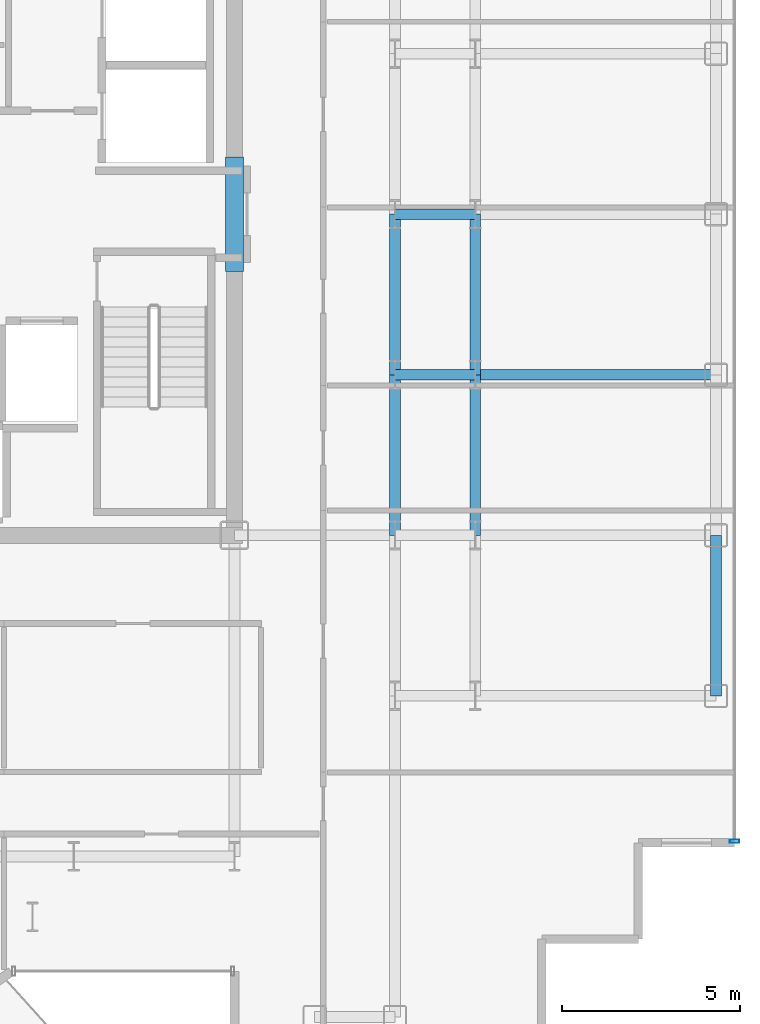
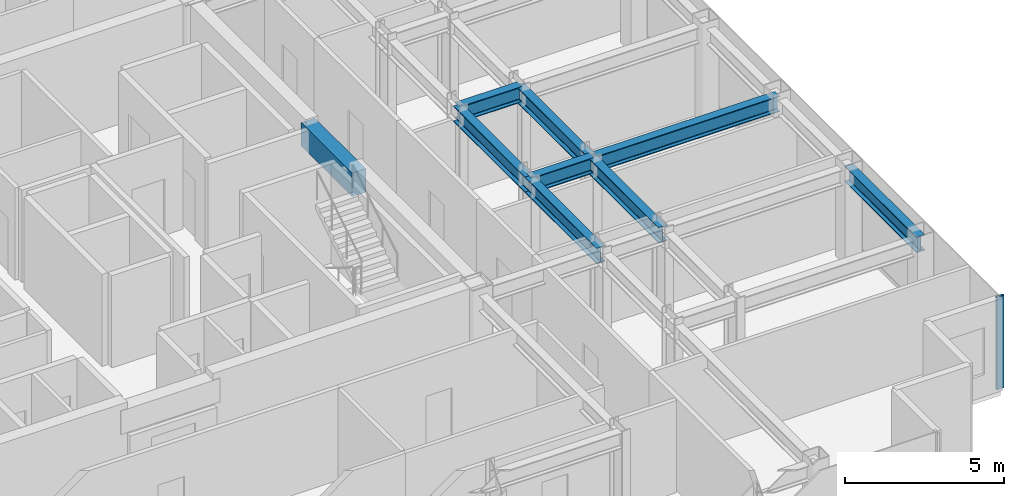
# One storey, part 6 of 21: 9 beams, 1 member, 1 element without a shape of its own.
"""IFC4 building model written with IfcOpenShell, lengths in metres."""

from ifc_helpers import new_model, si_unit, direction, frame, origin, origin_2d, place, context, subcontext, project, spatial, rectangle, hollow_rectangle, i_section, extrude, source, transform, mapped, material, layer, layer_set, material_profile, profile_set, type_object, element, aggregate, save


model = new_model("IFC4")

# Units and contexts
model_context = context("Model", 3, precision=1e-05, world=origin(), true_north=direction((0.0, 1.0)))
body_context = subcontext(model_context, "Body", "Model", "MODEL_VIEW")
ifc_project = project(units=[si_unit("LENGTHUNIT", "METRE"), si_unit("AREAUNIT", "SQUARE_METRE"), si_unit("VOLUMEUNIT", "CUBIC_METRE"), si_unit("PLANEANGLEUNIT", "RADIAN"), si_unit("MASSUNIT", "GRAM", prefix="KILO")], contexts=[model_context])

# Site, building, storey
site_placement = place(None, origin())
site = spatial("IfcSite", under=ifc_project, at=site_placement, CompositionType="ELEMENT")
building_placement = place(site_placement, origin())
building = spatial("IfcBuilding", under=site, at=building_placement, Name="Nefas-Gora Pilgrimage Tower", CompositionType="ELEMENT")
storey_placement = place(building_placement, frame((0.0, 0.0, 248.39990234375)))
storey = spatial("IfcBuildingStorey", under=building, at=storey_placement, Name="L62", CompositionType="ELEMENT", Elevation=248.39990234375)

# Beams
ifc_material_1 = material(Name="Concrete C50/60", Category="concrete")
ifc_material_profile_1 = material_profile(ifc_material_1, rectangle(XDim=0.5, YDim=0.89990234375, at=origin_2d()), Name="RC 500x900")
ifc_profile_set_1 = profile_set([ifc_material_profile_1], Name="Concrete C50/60")
beam_type_1 = type_object("IfcBeamType", Name="BM-LIN-RC900", PredefinedType="LINTEL", material=ifc_profile_set_1)
shared_shape_1 = source(origin(), body_context, "Body", "SweptSolid", [
    extrude(rectangle(XDim=0.5, YDim=0.89990234375, at=origin_2d()), origin(), (0.0, 0.0, 1.0), 3.2001953125),
])
beam_1_placement = place(storey_placement, frame((11.25, -1.60009765625, 3.10009765625), z_axis=(0.0, 1.0, 0.0), x_axis=(-1.0, 0.0, 0.0)))
element("IfcBeam", 1, at=beam_1_placement, inside=storey, type_object=beam_type_1, Name="L62 Core Coupling Lintel Beam E", PredefinedType="LINTEL", context=body_context, shape_type="MappedRepresentation", body=[
    mapped(shared_shape_1, transform((0.0, 0.0, 0.0), x_axis=(1.0, 0.0, 0.0), y_axis=(0.0, 1.0, 0.0), z_axis=(0.0, 0.0, 1.0), scale=1.0)),
])
ifc_material_2 = material(Name="Steel S355", Category="steel")
ifc_material_profile_2 = material_profile(ifc_material_2, i_section(OverallWidth=0.300048828125, OverallDepth=0.60009765625, WebThickness=0.015380859375, FlangeThickness=0.030029296875, FilletRadius=0.027099609375, at=origin_2d()), Name="HEB 600")
ifc_profile_set_2 = profile_set([ifc_material_profile_2], Name="Steel S355")
beam_type_2 = type_object("IfcBeamType", Name="BM-SPN-HEB450", PredefinedType="SPANDREL", material=ifc_profile_set_2)
shared_shape_2 = source(origin(), body_context, "Body", "SweptSolid", [
    extrude(i_section(OverallWidth=0.300048828125, OverallDepth=0.60009765625, WebThickness=0.015380859375, FlangeThickness=0.030029296875, FilletRadius=0.027099609375, at=origin_2d()), origin(), (0.0, 0.0, 1.0), 4.5),
])
beam_2_placement = place(storey_placement, frame((24.75, -13.5, 3.25), z_axis=(0.0, 1.0, 0.0), x_axis=(-1.0, 0.0, 0.0)))
element("IfcBeam", 2, at=beam_2_placement, inside=storey, type_object=beam_type_2, Name="L62 SP-03 beam", PredefinedType="SPANDREL", context=body_context, shape_type="MappedRepresentation", body=[
    mapped(shared_shape_2, transform((0.0, 0.0, 0.0), x_axis=(1.0, 0.0, 0.0), y_axis=(0.0, 1.0, 0.0), z_axis=(0.0, 0.0, 1.0), scale=1.0)),
])
ifc_material_profile_3 = material_profile(ifc_material_2, i_section(OverallWidth=0.300048828125, OverallDepth=0.60009765625, WebThickness=0.015380859375, FlangeThickness=0.030029296875, FilletRadius=0.027099609375, at=origin_2d()), Name="HEB 600")
ifc_profile_set_3 = profile_set([ifc_material_profile_3], Name="Steel S355")
beam_type_3 = type_object("IfcBeamType", Name="BM-GIR-HEB600", PredefinedType="BEAM", material=ifc_profile_set_3)
shared_shape_3 = source(origin(), body_context, "Body", "SweptSolid", [
    extrude(i_section(OverallWidth=0.300048828125, OverallDepth=0.60009765625, WebThickness=0.015380859375, FlangeThickness=0.030029296875, FilletRadius=0.027099609375, at=origin_2d()), origin(), (0.0, 0.0, 1.0), 4.5),
])
for number, where, z_axis, x_axis, name in (
    (3, (15.75, -9.0, 3.25), (0.0, 1.0, 0.0), (-1.0, 0.0, 0.0), "L62 G-04 beam"),
    (4, (15.75, -4.5, 3.25), (0.0, 1.0, 0.0), (-1.0, 0.0, 0.0), "L62 G-04 beam"),
    (5, (18.0, -9.0, 3.25), (0.0, 1.0, 0.0), (-1.0, 0.0, 0.0), "L62 G-04 beam"),
    (6, (18.0, -4.5, 3.25), (0.0, 1.0, 0.0), (-1.0, 0.0, 0.0), "L62 G-04 beam"),
):
    element("IfcBeam", number, at=place(storey_placement, frame(where, z_axis=z_axis, x_axis=x_axis)), inside=storey, type_object=beam_type_3, Name=name, PredefinedType="BEAM", context=body_context, shape_type="MappedRepresentation", body=[
        mapped(shared_shape_3, transform((0.0, 0.0, 0.0), x_axis=(1.0, 0.0, 0.0), y_axis=(0.0, 1.0, 0.0), z_axis=(0.0, 0.0, 1.0), scale=1.0)),
    ])
shared_shape_4 = source(origin(), body_context, "Body", "SweptSolid", [
    extrude(i_section(OverallWidth=0.300048828125, OverallDepth=0.60009765625, WebThickness=0.015380859375, FlangeThickness=0.030029296875, FilletRadius=0.027099609375, at=origin_2d()), origin(), (0.0, 0.0, 1.0), 6.75),
])
beam_3_placement = place(storey_placement, frame((18.0, -4.5, 3.25), z_axis=(1.0, 0.0, 0.0), x_axis=(0.0, 1.0, 0.0)))
element("IfcBeam", 7, at=beam_3_placement, inside=storey, type_object=beam_type_3, Name="L62 G-04 beam", PredefinedType="BEAM", context=body_context, shape_type="MappedRepresentation", body=[
    mapped(shared_shape_4, transform((0.0, 0.0, 0.0), x_axis=(1.0, 0.0, 0.0), y_axis=(0.0, 1.0, 0.0), z_axis=(0.0, 0.0, 1.0), scale=1.0)),
])
shared_shape_5 = source(origin(), body_context, "Body", "SweptSolid", [
    extrude(i_section(OverallWidth=0.300048828125, OverallDepth=0.60009765625, WebThickness=0.015380859375, FlangeThickness=0.030029296875, FilletRadius=0.027099609375, at=origin_2d()), origin(), (0.0, 0.0, 1.0), 2.25),
])
for number, where, z_axis, x_axis, name in (
    (8, (15.75, -4.5, 3.25), (1.0, 0.0, 0.0), (0.0, 1.0, 0.0), "L62 G-04 beam"),
    (9, (15.75, 0.0, 3.25), (1.0, 0.0, 0.0), (0.0, 1.0, 0.0), "L62 G-04 beam"),
):
    element("IfcBeam", number, at=place(storey_placement, frame(where, z_axis=z_axis, x_axis=x_axis)), inside=storey, type_object=beam_type_3, Name=name, PredefinedType="BEAM", context=body_context, shape_type="MappedRepresentation", body=[
        mapped(shared_shape_5, transform((0.0, 0.0, 0.0), x_axis=(1.0, 0.0, 0.0), y_axis=(0.0, 1.0, 0.0), z_axis=(0.0, 0.0, 1.0), scale=1.0)),
    ])

# Curtain wall, member
ifc_material_3 = material(Name="Dark ceramic-fritted solar-control aluminium-glass curtain wall", Category="aluminium")
ifc_layer = layer(ifc_material_3, 0.219970703125)
ifc_layer_set = layer_set([ifc_layer], Name="Dark ceramic-fritted solar-control aluminium-glass curtain wall")
curtain_wall_type = type_object("IfcCurtainWallType", Name="CW-SYS-3", PredefinedType="NOTDEFINED", material=ifc_layer_set)
curtain_wall_placement = place(storey_placement, origin())
curtain_wall = element("IfcCurtainWall", 10, at=curtain_wall_placement, inside=storey, type_object=curtain_wall_type, Name="L62 Unitised Curtain Wall CW3", PredefinedType="NOTDEFINED")
ifc_material_4 = material(Name="Anodised architectural aluminium", Category="aluminium")
ifc_material_profile_4 = material_profile(ifc_material_4, hollow_rectangle(XDim=0.090087890625, YDim=0.260009765625, WallThickness=0.006103515625, InnerFilletRadius=0.006103515625, OuterFilletRadius=0.011962890625, at=origin_2d()), Name="ALU MULLION 90x260")
ifc_profile_set_4 = profile_set([ifc_material_profile_4], Name="Anodised architectural aluminium")
member_type = type_object("IfcMemberType", Name="CWM-MUL-3", PredefinedType="MULLION", material=ifc_profile_set_4)
shared_shape_6 = source(origin(), body_context, "Body", "SweptSolid", [
    extrude(hollow_rectangle(XDim=0.090087890625, YDim=0.260009765625, WallThickness=0.006103515625, InnerFilletRadius=0.006103515625, OuterFilletRadius=0.011962890625, at=origin_2d()), origin(), (0.0, 0.0, 1.0), 3.550048828125),
])
member_placement = place(storey_placement, frame((25.27001953125, -17.574951171875, 0.0), z_axis=(0.0, 0.0, 1.0), x_axis=(0.0, 1.0, 0.0)))
member = element("IfcMember", 11, at=member_placement, type_object=member_type, Name="CW3 Mullion 1", PredefinedType="MULLION", context=body_context, shape_type="MappedRepresentation", body=[
    mapped(shared_shape_6, transform((0.0, 0.0, 0.0), x_axis=(1.0, 0.0, 0.0), y_axis=(0.0, 1.0, 0.0), z_axis=(0.0, 0.0, 1.0), scale=1.0)),
])
aggregate(curtain_wall, [member])

save(model, "model.ifc")
